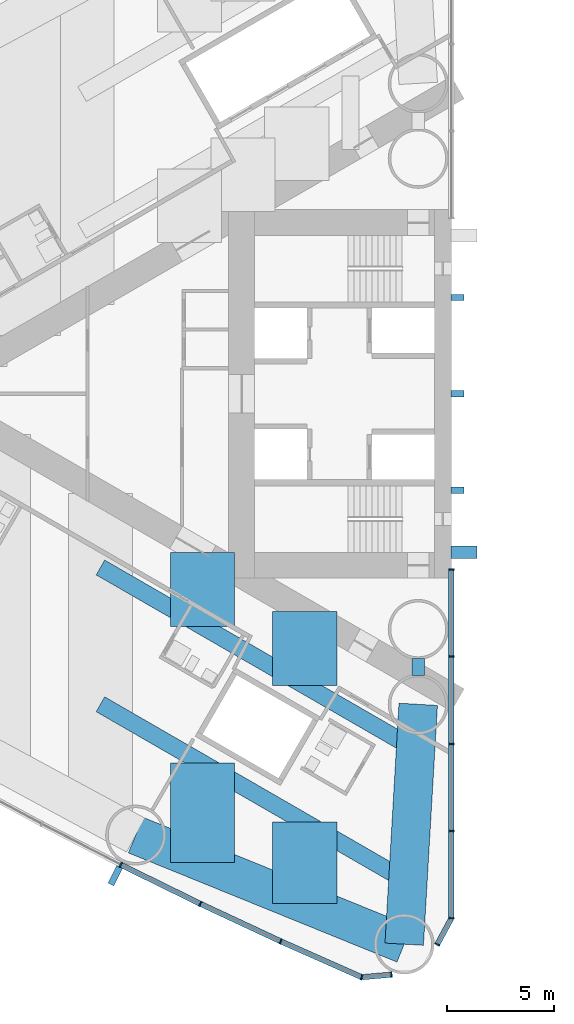
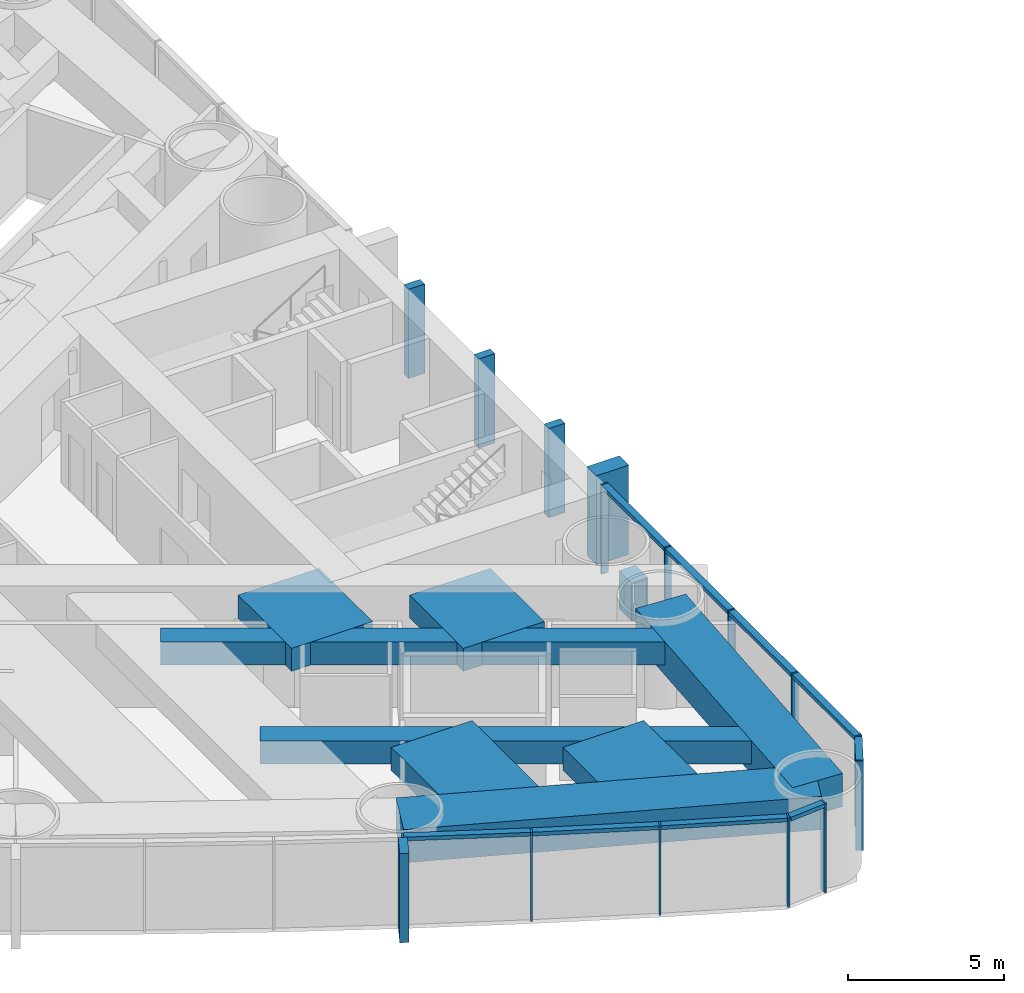
# One storey, part 3 of 19: 25 members, 9 beams, 2 elements without a shape of their own.
"""IFC4 building model written with IfcOpenShell, lengths in metres."""

from ifc_helpers import new_model, si_unit, direction, frame, origin, origin_2d, place, context, subcontext, project, spatial, rectangle, hollow_rectangle, extrude, material, material_profile, profile_set, type_object, element, aggregate, save


model = new_model("IFC4")

# Units and contexts
model_context = context("Model", 3, precision=1e-05, world=origin(), true_north=direction((0.0, 1.0)))
body_context = subcontext(model_context, "Body", "Model", "MODEL_VIEW")
ifc_project = project(units=[si_unit("LENGTHUNIT", "METRE"), si_unit("AREAUNIT", "SQUARE_METRE"), si_unit("VOLUMEUNIT", "CUBIC_METRE"), si_unit("PLANEANGLEUNIT", "RADIAN"), si_unit("MASSUNIT", "GRAM", prefix="KILO")], contexts=[model_context])

# Site, building, storey
site_placement = place(None, origin())
site = spatial("IfcSite", under=ifc_project, at=site_placement, CompositionType="ELEMENT")
building_placement = place(site_placement, origin())
building = spatial("IfcBuilding", under=site, at=building_placement, Name="Lancet Gate Hotel", CompositionType="ELEMENT")
storey_placement = place(building_placement, frame((0.0, 0.0, 18.0)))
storey = spatial("IfcBuildingStorey", under=building, at=storey_placement, Name="L03", CompositionType="ELEMENT", Elevation=18.0)

# Curtain wall, members
ifc_material_1 = material(Name="Aluminium curtain wall", Category="aluminium")
curtain_wall_type = type_object("IfcCurtainWallType", Name="Tower unitised curtain wall", PredefinedType="USERDEFINED", material=ifc_material_1)
curtain_wall_1_placement = place(storey_placement, origin())
curtain_wall_1 = element("IfcCurtainWall", 1, at=curtain_wall_1_placement, inside=storey, type_object=curtain_wall_type, Name="T1 L03 curtain wall 3", ObjectType="UNITISED CURTAIN WALL", PredefinedType="USERDEFINED")
ifc_material_2 = material(Name="Aluminium mullion", Category="aluminium")
ifc_material_profile_1 = material_profile(ifc_material_2, rectangle(XDim=0.06494140625, YDim=0.25, at=origin_2d()), Name="MULLION 65x250")
ifc_profile_set_1 = profile_set([ifc_material_profile_1], Name="Aluminium mullion")
member_type_1 = type_object("IfcMemberType", Name="Aluminium mullion 65x250", PredefinedType="MULLION", material=ifc_profile_set_1)
member_1_placement = place(storey_placement, frame((-42.94189453125, -21.991943359375, 0.0), z_axis=(0.0, 0.0, 1.0), x_axis=(0.893291549794, -0.449477704748, 0.0)))
member_1 = element("IfcMember", 2, at=member_1_placement, type_object=member_type_1, Name="T1 L03 curtain wall 3 mullion 11", PredefinedType="MULLION", context=body_context, shape_type="SweptSolid", body=[
    extrude(rectangle(XDim=0.06494140625, YDim=0.25, at=origin_2d()), origin(), (0.0, 0.0, 1.0), 3.5),
])
member_2_placement = place(storey_placement, frame((-39.225341796875, -23.816650390625, 0.0), z_axis=(0.0, 0.0, 1.0), x_axis=(0.901928838337, -0.431884672772, 0.0)))
member_2 = element("IfcMember", 3, at=member_2_placement, type_object=member_type_1, Name="T1 L03 curtain wall 3 mullion 12", PredefinedType="MULLION", context=body_context, shape_type="SweptSolid", body=[
    extrude(rectangle(XDim=0.06494140625, YDim=0.25, at=origin_2d()), origin(), (0.0, 0.0, 1.0), 3.5),
])
member_3_placement = place(storey_placement, frame((-35.473876953125, -25.568115234375, 0.0), z_axis=(0.0, 0.0, 1.0), x_axis=(0.910219680212, -0.414125746308, 0.0)))
member_3 = element("IfcMember", 4, at=member_3_placement, type_object=member_type_1, Name="T1 L03 curtain wall 3 mullion 13", PredefinedType="MULLION", context=body_context, shape_type="SweptSolid", body=[
    extrude(rectangle(XDim=0.06494140625, YDim=0.25, at=origin_2d()), origin(), (0.0, 0.0, 1.0), 3.5),
])
member_4_placement = place(storey_placement, frame((-31.688720703125, -27.24560546875, 0.0), z_axis=(0.0, 0.0, 1.0), x_axis=(0.957524354695, -0.288352406209, 0.0)))
member_4 = element("IfcMember", 5, at=member_4_placement, type_object=member_type_1, Name="T1 L03 curtain wall 3 mullion 14", PredefinedType="MULLION", context=body_context, shape_type="SweptSolid", body=[
    extrude(rectangle(XDim=0.06494140625, YDim=0.25, at=origin_2d()), origin(), (0.0, 0.0, 1.0), 3.5),
])
member_5_placement = place(storey_placement, frame((-30.3046875, -27.124755859375, 0.0), z_axis=(0.0, 0.0, 1.0), x_axis=(0.99620380374, 0.087051602022, 0.0)))
member_5 = element("IfcMember", 6, at=member_5_placement, type_object=member_type_1, Name="T1 L03 curtain wall 3 mullion 15", PredefinedType="MULLION", context=body_context, shape_type="SweptSolid", body=[
    extrude(rectangle(XDim=0.06494140625, YDim=0.25, at=origin_2d()), origin(), (0.0, 0.0, 1.0), 3.5),
])

curtain_wall_2_placement = place(storey_placement, origin())
curtain_wall_2 = element("IfcCurtainWall", 7, at=curtain_wall_2_placement, inside=storey, type_object=curtain_wall_type, Name="T1 L03 curtain wall 4", ObjectType="UNITISED CURTAIN WALL", PredefinedType="USERDEFINED")
member_6_placement = place(storey_placement, frame((-28.158935546875, -25.712890625, 0.0), z_axis=(0.0, 0.0, 1.0), x_axis=(0.474631040972, 0.880184852714, 0.0)))
member_6 = element("IfcMember", 8, at=member_6_placement, type_object=member_type_1, Name="T1 L03 curtain wall 4 mullion 1", PredefinedType="MULLION", context=body_context, shape_type="SweptSolid", body=[
    extrude(rectangle(XDim=0.06494140625, YDim=0.25, at=origin_2d()), origin(), (0.0, 0.0, 1.0), 3.5),
])
member_7_placement = place(storey_placement, frame((-27.5, -24.4912109375, 0.0), z_axis=(0.0, 0.0, 1.0), x_axis=(0.123482502544, 0.992346749662, 0.0)))
member_7 = element("IfcMember", 9, at=member_7_placement, type_object=member_type_1, Name="T1 L03 curtain wall 4 mullion 2", PredefinedType="MULLION", context=body_context, shape_type="SweptSolid", body=[
    extrude(rectangle(XDim=0.06494140625, YDim=0.25, at=origin_2d()), origin(), (0.0, 0.0, 1.0), 3.5),
])
member_8_placement = place(storey_placement, frame((-27.5, -20.41845703125, 0.0), z_axis=(0.0, 0.0, 1.0), x_axis=(0.0, 1.0, 0.0)))
member_8 = element("IfcMember", 10, at=member_8_placement, type_object=member_type_1, Name="T1 L03 curtain wall 4 mullion 3", PredefinedType="MULLION", context=body_context, shape_type="SweptSolid", body=[
    extrude(rectangle(XDim=0.06494140625, YDim=0.25, at=origin_2d()), origin(), (0.0, 0.0, 1.0), 3.5),
])
member_9_placement = place(storey_placement, frame((-27.5, -16.345703125, 0.0), z_axis=(0.0, 0.0, 1.0), x_axis=(0.0, 1.0, 0.0)))
member_9 = element("IfcMember", 11, at=member_9_placement, type_object=member_type_1, Name="T1 L03 curtain wall 4 mullion 4", PredefinedType="MULLION", context=body_context, shape_type="SweptSolid", body=[
    extrude(rectangle(XDim=0.06494140625, YDim=0.25, at=origin_2d()), origin(), (0.0, 0.0, 1.0), 3.5),
])
member_10_placement = place(storey_placement, frame((-27.5, -12.272705078125, 0.0), z_axis=(0.0, 0.0, 1.0), x_axis=(0.0, 1.0, 0.0)))
member_10 = element("IfcMember", 12, at=member_10_placement, type_object=member_type_1, Name="T1 L03 curtain wall 4 mullion 5", PredefinedType="MULLION", context=body_context, shape_type="SweptSolid", body=[
    extrude(rectangle(XDim=0.06494140625, YDim=0.25, at=origin_2d()), origin(), (0.0, 0.0, 1.0), 3.5),
])
member_11_placement = place(storey_placement, frame((-27.5, -8.199951171875, 0.0), z_axis=(0.0, 0.0, 1.0), x_axis=(0.0, 1.0, 0.0)))
member_11 = element("IfcMember", 13, at=member_11_placement, type_object=member_type_1, Name="T1 L03 curtain wall 4 mullion 6", PredefinedType="MULLION", context=body_context, shape_type="SweptSolid", body=[
    extrude(rectangle(XDim=0.06494140625, YDim=0.25, at=origin_2d()), origin(), (0.0, 0.0, 1.0), 3.5),
])

# Member
ifc_material_3 = material(Name="Aluminium transom", Category="aluminium")
ifc_material_profile_2 = material_profile(ifc_material_3, rectangle(XDim=0.25, YDim=0.14990234375, at=origin_2d()), Name="TRANSOM 250x150")
ifc_profile_set_2 = profile_set([ifc_material_profile_2], Name="Aluminium transom")
member_type_2 = type_object("IfcMemberType", Name="Aluminium transom 250x150", PredefinedType="USERDEFINED", material=ifc_profile_set_2)
member_12_placement = place(storey_placement, frame((-42.912841796875, -22.00634765625, 3.425048828125), z_axis=(0.897662439958, -0.440683723194, 0.0), x_axis=(0.440683723194, 0.897662439958, 0.0)))
member_12 = element("IfcMember", 14, at=member_12_placement, type_object=member_type_2, Name="T1 L03 curtain wall 3 transom 11", ObjectType="TRANSOM", PredefinedType="USERDEFINED", context=body_context, shape_type="SweptSolid", body=[
    extrude(rectangle(XDim=0.25, YDim=0.14990234375, at=origin_2d()), origin(), (0.0, 0.0, 1.0), 4.0751953125),
])

member_13_placement = place(storey_placement, frame((-39.196044921875, -23.830322265625, 3.425048828125), z_axis=(0.906109667261, -0.423042871228, 0.0), x_axis=(0.423042871228, 0.906109667261, 0.0)))
member_13 = element("IfcMember", 15, at=member_13_placement, type_object=member_type_2, Name="T1 L03 curtain wall 3 transom 12", ObjectType="TRANSOM", PredefinedType="USERDEFINED", context=body_context, shape_type="SweptSolid", body=[
    extrude(rectangle(XDim=0.25, YDim=0.14990234375, at=origin_2d()), origin(), (0.0, 0.0, 1.0), 4.075439453125),
])

member_14_placement = place(storey_placement, frame((-35.444091796875, -25.581298828125, 3.425048828125), z_axis=(0.914248281954, -0.405154389022, 0.0), x_axis=(0.405154389022, 0.914248281954, 0.0)))
member_14 = element("IfcMember", 16, at=member_14_placement, type_object=member_type_2, Name="T1 L03 curtain wall 3 transom 13", ObjectType="TRANSOM", PredefinedType="USERDEFINED", context=body_context, shape_type="SweptSolid", body=[
    extrude(rectangle(XDim=0.25, YDim=0.14990234375, at=origin_2d()), origin(), (0.0, 0.0, 1.0), 4.0751953125),
])

member_15_placement = place(storey_placement, frame((-31.65625, -27.242919921875, 3.425048828125), z_axis=(0.99620591587, 0.087027427779, 0.0), x_axis=(-0.087027427779, 0.99620591587, 0.0)))
member_15 = element("IfcMember", 17, at=member_15_placement, type_object=member_type_2, Name="T1 L03 curtain wall 3 transom 14", ObjectType="TRANSOM", PredefinedType="USERDEFINED", context=body_context, shape_type="SweptSolid", body=[
    extrude(rectangle(XDim=0.25, YDim=0.14990234375, at=origin_2d()), origin(), (0.0, 0.0, 1.0), 1.32421875),
])

member_16_placement = place(storey_placement, frame((-28.143310546875, -25.684326171875, 3.425048828125), z_axis=(0.474605926905, 0.880198394765, 0.0), x_axis=(-0.880198394765, 0.474605926905, 0.0)))
member_16 = element("IfcMember", 18, at=member_16_placement, type_object=member_type_2, Name="T1 L03 curtain wall 4 transom 1", ObjectType="TRANSOM", PredefinedType="USERDEFINED", context=body_context, shape_type="SweptSolid", body=[
    extrude(rectangle(XDim=0.25, YDim=0.14990234375, at=origin_2d()), origin(), (0.0, 0.0, 1.0), 1.322998046875),
])

member_17_placement = place(storey_placement, frame((-27.5, -24.458740234375, 3.425048828125), z_axis=(0.0, 1.0, 0.0), x_axis=(-1.0, 0.0, 0.0)))
member_17 = element("IfcMember", 19, at=member_17_placement, type_object=member_type_2, Name="T1 L03 curtain wall 4 transom 2", ObjectType="TRANSOM", PredefinedType="USERDEFINED", context=body_context, shape_type="SweptSolid", body=[
    extrude(rectangle(XDim=0.25, YDim=0.14990234375, at=origin_2d()), origin(), (0.0, 0.0, 1.0), 4.0078125),
])

member_18_placement = place(storey_placement, frame((-27.5, -20.385986328125, 3.425048828125), z_axis=(0.0, 1.0, 0.0), x_axis=(-1.0, 0.0, 0.0)))
member_18 = element("IfcMember", 20, at=member_18_placement, type_object=member_type_2, Name="T1 L03 curtain wall 4 transom 3", ObjectType="TRANSOM", PredefinedType="USERDEFINED", context=body_context, shape_type="SweptSolid", body=[
    extrude(rectangle(XDim=0.25, YDim=0.14990234375, at=origin_2d()), origin(), (0.0, 0.0, 1.0), 4.0078125),
])

member_19_placement = place(storey_placement, frame((-27.5, -16.31298828125, 3.425048828125), z_axis=(0.0, 1.0, 0.0), x_axis=(-1.0, 0.0, 0.0)))
member_19 = element("IfcMember", 21, at=member_19_placement, type_object=member_type_2, Name="T1 L03 curtain wall 4 transom 4", ObjectType="TRANSOM", PredefinedType="USERDEFINED", context=body_context, shape_type="SweptSolid", body=[
    extrude(rectangle(XDim=0.25, YDim=0.14990234375, at=origin_2d()), origin(), (0.0, 0.0, 1.0), 4.0078125),
])

member_20_placement = place(storey_placement, frame((-27.5, -12.240234375, 3.425048828125), z_axis=(0.0, 1.0, 0.0), x_axis=(-1.0, 0.0, 0.0)))
member_20 = element("IfcMember", 22, at=member_20_placement, type_object=member_type_2, Name="T1 L03 curtain wall 4 transom 5", ObjectType="TRANSOM", PredefinedType="USERDEFINED", context=body_context, shape_type="SweptSolid", body=[
    extrude(rectangle(XDim=0.25, YDim=0.14990234375, at=origin_2d()), origin(), (0.0, 0.0, 1.0), 4.0078125),
])

aggregate(curtain_wall_2, [member_6, member_7, member_8, member_9, member_10, member_11, member_16, member_17, member_18, member_19, member_20])

# Beams
ifc_material_4 = material(Name="Concrete C50/60", Category="concrete")
ifc_material_profile_3 = material_profile(ifc_material_4, rectangle(XDim=1.800048828125, YDim=1.300048828125, at=origin_2d()), Name="RC 1800x1300")
ifc_profile_set_3 = profile_set([ifc_material_profile_3], Name="Concrete C50/60")
beam_type_1 = type_object("IfcBeamType", Name="Edge beam RC 1800x1300", PredefinedType="SPANDREL", material=ifc_profile_set_3)
beam_1_placement = place(storey_placement, frame((-42.2451171875, -20.607421875, 2.60009765625), z_axis=(0.926463236197, -0.376385270667, 0.0), x_axis=(0.376385270667, 0.926463236197, 0.0)))
element("IfcBeam", 23, at=beam_1_placement, inside=storey, type_object=beam_type_1, Name="T1 edge beam EB1 L03", PredefinedType="SPANDREL", context=body_context, shape_type="SweptSolid", body=[
    extrude(rectangle(XDim=1.800048828125, YDim=1.300048828125, at=origin_2d()), origin(), (0.0, 0.0, 1.0), 13.537353515625),
])
beam_2_placement = place(storey_placement, frame((-29.050048828125, -14.5, 2.60009765625), z_axis=(-0.058219521912, -0.998303805096, 0.0), x_axis=(0.998303805096, -0.058219521912, 0.0)))
element("IfcBeam", 24, at=beam_2_placement, inside=storey, type_object=beam_type_1, Name="T1 edge beam EB1 L03", PredefinedType="SPANDREL", context=body_context, shape_type="SweptSolid", body=[
    extrude(rectangle(XDim=1.800048828125, YDim=1.300048828125, at=origin_2d()), origin(), (0.0, 0.0, 1.0), 11.2216796875),
])

# Member
ifc_material_5 = material(Name="Concrete C60/75", Category="concrete")
ifc_material_profile_4 = material_profile(ifc_material_5, rectangle(XDim=0.60009765625, YDim=1.199951171875, at=origin_2d()), Name="FIN 600x1200")
ifc_profile_set_4 = profile_set([ifc_material_profile_4], Name="Concrete C60/75")
member_type_3 = type_object("IfcMemberType", Name="Exposed concrete buttress pilaster 600x1200", PredefinedType="USERDEFINED", material=ifc_profile_set_4)
member_21_placement = place(storey_placement, frame((-26.909912109375, -7.39990234375, 0.0), z_axis=(0.0, 0.0, 1.0), x_axis=(0.0, 1.0, 0.0)))
element("IfcMember", 25, at=member_21_placement, inside=storey, type_object=member_type_3, Name="T1 buttress pilaster N L03", ObjectType="FIN", PredefinedType="USERDEFINED", context=body_context, shape_type="SweptSolid", body=[
    extrude(rectangle(XDim=0.60009765625, YDim=1.199951171875, at=origin_2d()), origin(), (0.0, 0.0, 1.0), 3.5),
])

ifc_material_6 = material(Name="Precast concrete C50/60", Category="concrete")
ifc_material_profile_5 = material_profile(ifc_material_6, rectangle(XDim=0.300048828125, YDim=0.89990234375, at=origin_2d()), Name="FIN 300x900")
ifc_profile_set_5 = profile_set([ifc_material_profile_5], Name="Precast concrete C50/60")
member_type_4 = type_object("IfcMemberType", Name="Exposed concrete fin 300x900", PredefinedType="USERDEFINED", material=ifc_profile_set_5)
member_22_placement = place(storey_placement, frame((-43.200439453125, -22.505615234375, 0.0), z_axis=(0.0, 0.0, 1.0), x_axis=(0.893291549794, -0.449477704748, 0.0)))
member_22 = element("IfcMember", 26, at=member_22_placement, type_object=member_type_4, Name="T1 L03 curtain wall 3 fin 11", ObjectType="FIN", PredefinedType="USERDEFINED", context=body_context, shape_type="SweptSolid", body=[
    extrude(rectangle(XDim=0.300048828125, YDim=0.89990234375, at=origin_2d()), origin(), (0.0, 0.0, 1.0), 3.5),
])

aggregate(curtain_wall_1, [member_1, member_22, member_2, member_3, member_4, member_5, member_12, member_13, member_14, member_15])

# Members
ifc_material_7 = material(Name="Concrete C60/75", Category="concrete")
ifc_material_profile_6 = material_profile(ifc_material_7, rectangle(XDim=0.300048828125, YDim=0.60009765625, at=origin_2d()), Name="FIN 300x600")
ifc_profile_set_6 = profile_set([ifc_material_profile_6], Name="Concrete C60/75")
member_type_5 = type_object("IfcMemberType", Name="Exposed concrete rib 300x600", PredefinedType="USERDEFINED", material=ifc_profile_set_6)
for number, where, z_axis, x_axis, name in (
    (27, (-27.2099609375, 4.5, 0.0), (0.0, 0.0, 1.0), (0.0, 1.0, 0.0), "T1 core rib 1 L03"),
    (28, (-27.2099609375, 0.0, 0.0), (0.0, 0.0, 1.0), (0.0, 1.0, 0.0), "T1 core rib 2 L03"),
    (29, (-27.2099609375, -4.5, 0.0), (0.0, 0.0, 1.0), (0.0, 1.0, 0.0), "T1 core rib 3 L03"),
):
    element("IfcMember", number, at=place(storey_placement, frame(where, z_axis=z_axis, x_axis=x_axis)), inside=storey, type_object=member_type_5, Name=name, ObjectType="FIN", PredefinedType="USERDEFINED", context=body_context, shape_type="SweptSolid", body=[
        extrude(rectangle(XDim=0.300048828125, YDim=0.60009765625, at=origin_2d()), origin(), (0.0, 0.0, 1.0), 3.5),
    ])

# Beams
ifc_material_8 = material(Name="Concrete C50/60", Category="concrete")
ifc_material_profile_7 = material_profile(ifc_material_8, rectangle(XDim=3.0, YDim=0.89990234375, at=origin_2d()), Name="RC 3000x900")
ifc_profile_set_7 = profile_set([ifc_material_profile_7], Name="Concrete C50/60")
beam_type_2 = type_object("IfcBeamType", Name="Floor beam RC 3000x900", PredefinedType="BEAM", material=ifc_profile_set_7)
beam_3_placement = place(storey_placement, frame((-34.353515625, -10.169921875, 2.800048828125), z_axis=(0.0, -1.0, 0.0), x_axis=(1.0, 0.0, 0.0)))
element("IfcBeam", 30, at=beam_3_placement, inside=storey, type_object=beam_type_2, Name="T1 floor beam F03NA L03", PredefinedType="BEAM", context=body_context, shape_type="SweptSolid", body=[
    extrude(rectangle(XDim=3.0, YDim=0.89990234375, at=origin_2d()), origin(), (0.0, 0.0, 1.0), 3.44580078125),
])
beam_4_placement = place(storey_placement, frame((-34.353515625, -20.0029296875, 2.800048828125), z_axis=(0.0, -1.0, 0.0), x_axis=(1.0, 0.0, 0.0)))
element("IfcBeam", 31, at=beam_4_placement, inside=storey, type_object=beam_type_2, Name="T1 floor beam F03NB L03", PredefinedType="BEAM", context=body_context, shape_type="SweptSolid", body=[
    extrude(rectangle(XDim=3.0, YDim=0.89990234375, at=origin_2d()), origin(), (0.0, 0.0, 1.0), 3.810546875),
])
beam_5_placement = place(storey_placement, frame((-39.122314453125, -7.41650390625, 2.800048828125), z_axis=(0.0, -1.0, 0.0), x_axis=(1.0, 0.0, 0.0)))
element("IfcBeam", 32, at=beam_5_placement, inside=storey, type_object=beam_type_2, Name="T1 floor beam F06NA L03", PredefinedType="BEAM", context=body_context, shape_type="SweptSolid", body=[
    extrude(rectangle(XDim=3.0, YDim=0.89990234375, at=origin_2d()), origin(), (0.0, 0.0, 1.0), 3.446044921875),
])
beam_6_placement = place(storey_placement, frame((-39.122314453125, -17.249755859375, 2.800048828125), z_axis=(0.0, -1.0, 0.0), x_axis=(1.0, 0.0, 0.0)))
element("IfcBeam", 33, at=beam_6_placement, inside=storey, type_object=beam_type_2, Name="T1 floor beam F06NB L03", PredefinedType="BEAM", context=body_context, shape_type="SweptSolid", body=[
    extrude(rectangle(XDim=3.0, YDim=0.89990234375, at=origin_2d()), origin(), (0.0, 0.0, 1.0), 4.62646484375),
])
ifc_material_9 = material(Name="Steel S460QL", Category="steel")
ifc_material_profile_8 = material_profile(ifc_material_9, hollow_rectangle(XDim=0.60009765625, YDim=1.5, WallThickness=0.050048828125, at=origin_2d()), Name="BOX 1500x600x50")
ifc_profile_set_8 = profile_set([ifc_material_profile_8], Name="Steel S460QL")
beam_type_3 = type_object("IfcBeamType", Name="Inner-face link beam BOX 1500x600x50", PredefinedType="BEAM", material=ifc_profile_set_8)
beam_7_placement = place(storey_placement, frame((-29.050048828125, -12.35009765625, 2.5), z_axis=(0.0, -1.0, 0.0), x_axis=(1.0, 0.0, 0.0)))
element("IfcBeam", 34, at=beam_7_placement, inside=storey, type_object=beam_type_3, Name="T1 inner-face link beam LK1 L03", PredefinedType="BEAM", context=body_context, shape_type="SweptSolid", body=[
    extrude(hollow_rectangle(XDim=0.60009765625, YDim=1.5, WallThickness=0.050048828125, at=origin_2d()), origin(), (0.0, 0.0, 1.0), 0.7998046875),
])
ifc_material_10 = material(Name="Steel S460QL", Category="steel")
ifc_material_profile_9 = material_profile(ifc_material_10, hollow_rectangle(XDim=0.800048828125, YDim=0.89990234375, WallThickness=0.080078125, at=origin_2d()), Name="BOX 900x800x80")
ifc_profile_set_9 = profile_set([ifc_material_profile_9], Name="Steel S460QL")
beam_type_4 = type_object("IfcBeamType", Name="Trimmer beam BOX 900x800x80", PredefinedType="BEAM", material=ifc_profile_set_9)
for number, where, z_axis, x_axis, name in (
    (35, (-29.58447265625, -22.756103515625, 2.800048828125), (-0.866040141834, 0.49997447208, 0.0), (-0.49997447208, -0.866040141834, 0.0), "T1 trimmer beam TR03N L03"),
    (36, (-29.58447265625, -16.368896484375, 2.800048828125), (-0.866040141834, 0.49997447208, 0.0), (-0.49997447208, -0.866040141834, 0.0), "T1 trimmer beam TR04N L03"),
):
    element("IfcBeam", number, at=place(storey_placement, frame(where, z_axis=z_axis, x_axis=x_axis)), inside=storey, type_object=beam_type_4, Name=name, PredefinedType="BEAM", context=body_context, shape_type="SweptSolid", body=[
        extrude(hollow_rectangle(XDim=0.800048828125, YDim=0.89990234375, WallThickness=0.080078125, at=origin_2d()), origin(), (0.0, 0.0, 1.0), 16.519775390625),
    ])

save(model, "model.ifc")
